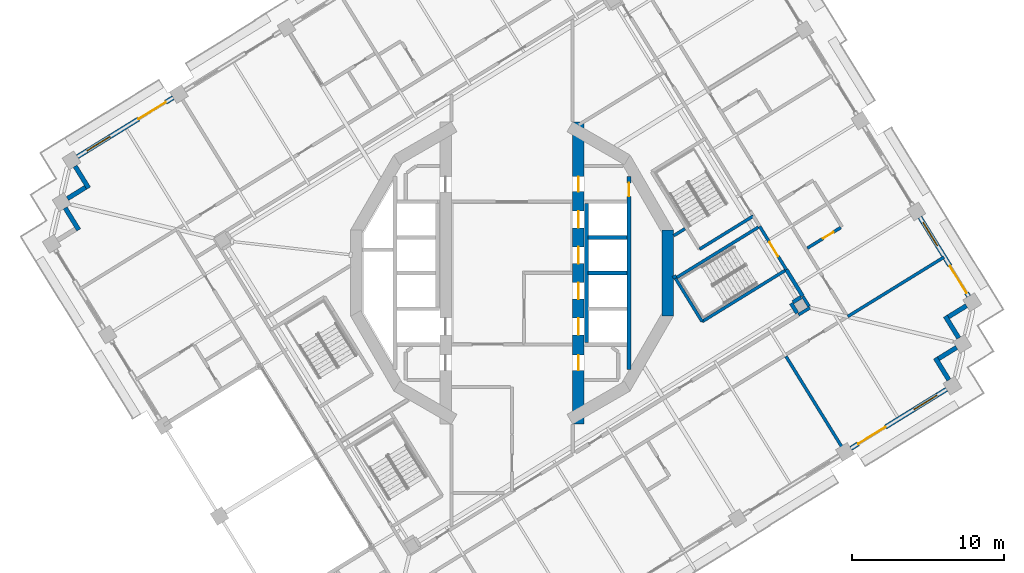
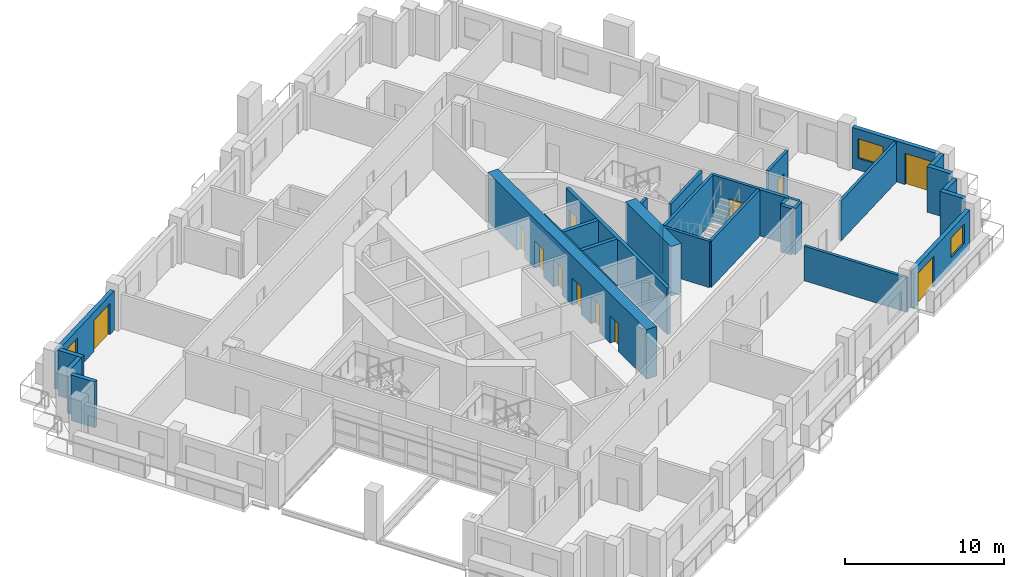
# One storey, part 10 of 22: 31 walls, 12 doors, 3 windows, 15 openings.
"""IFC4 building model written with IfcOpenShell, lengths in metres."""

from ifc_helpers import new_model, si_unit, direction, frame, frame_2d, origin, place, context, subcontext, project, spatial, rectangle, extrude, material, layer, layer_set, type_object, element, fill, save


model = new_model("IFC4")

# Units and contexts
model_context = context("Model", 3, precision=1e-05, world=origin(), true_north=direction((0.0, 1.0)))
body_context = subcontext(model_context, "Body", "Model", "MODEL_VIEW")
ifc_project = project(units=[si_unit("LENGTHUNIT", "METRE"), si_unit("AREAUNIT", "SQUARE_METRE"), si_unit("VOLUMEUNIT", "CUBIC_METRE"), si_unit("PLANEANGLEUNIT", "RADIAN"), si_unit("MASSUNIT", "GRAM", prefix="KILO")], contexts=[model_context])

# Site, building, storey
site_placement = place(None, origin())
site = spatial("IfcSite", under=ifc_project, at=site_placement, CompositionType="ELEMENT")
building_placement = place(site_placement, origin())
building = spatial("IfcBuilding", under=site, at=building_placement, Name="Cantera Rosa Tower", CompositionType="ELEMENT")
storey_placement = place(building_placement, frame((0.0, 0.0, 166.60009765625)))
storey = spatial("IfcBuildingStorey", under=building, at=storey_placement, Name="L36", CompositionType="ELEMENT", Elevation=166.60009765625)

# Walls
ifc_material_1 = material(Name="Gypsum board partition")
ifc_layer_1 = layer(ifc_material_1, 0.199951171875)
ifc_layer_set_1 = layer_set([ifc_layer_1], Name="CORRIDOR WALL 200 H3550")
wall_type_1 = type_object("IfcWallType", Name="CORRIDOR WALL 200 H3550", PredefinedType="PARTITIONING", material=ifc_layer_set_1)
wall_1_placement = place(storey_placement, frame((18.874267578125, -2.7509765625, 0.0), z_axis=(0.0, 0.0, 1.0), x_axis=(0.851162606387, 0.524902102766, 0.0)))
element("IfcWall", 1, at=wall_1_placement, inside=storey, type_object=wall_type_1, Name="CORRIDOR WALL L36-120", PredefinedType="PARTITIONING", context=body_context, shape_type="SweptSolid", body=[
    extrude(rectangle(XDim=0.8798828125, YDim=0.199951171875, at=frame_2d((0.43994140625, 0.0))), origin(), (0.0, 0.0, 1.0), 3.5498046875),
])
wall_2_placement = place(storey_placement, frame((19.57080078125, -2.203857421875, 0.0), z_axis=(0.0, 0.0, 1.0), x_axis=(-0.524952958213, 0.851131242326, 0.0)))
element("IfcWall", 2, at=wall_2_placement, inside=storey, type_object=wall_type_1, Name="CORRIDOR WALL L36-123", PredefinedType="PARTITIONING", context=body_context, shape_type="SweptSolid", body=[
    extrude(rectangle(XDim=0.780029296875, YDim=0.199951171875, at=frame_2d((0.39013671875, 0.0))), origin(), (0.0, 0.0, 1.0), 3.5498046875),
])
ifc_material_2 = material(Name="Hollow clay masonry with cantera stone cladding", Category="masonry")
ifc_layer_2 = layer(ifc_material_2, 0.300048828125)
ifc_layer_set_2 = layer_set([ifc_layer_2], Name="EW-LOGGIA 300")
wall_type_2 = type_object("IfcWallType", Name="EW-LOGGIA 300", PredefinedType="SOLIDWALL", material=ifc_layer_set_2)
wall_3_placement = place(storey_placement, frame((-28.7802734375, 7.0390625, 0.0), z_axis=(0.0, 0.0, 1.0), x_axis=(0.524994468487, -0.851105638601, 0.0)))
element("IfcWall", 3, at=wall_3_placement, inside=storey, type_object=wall_type_2, Name="EN-L36-W13a", PredefinedType="SOLIDWALL", context=body_context, shape_type="SweptSolid", body=[
    extrude(rectangle(XDim=1.7001953125, YDim=0.300048828125, at=frame_2d((0.85009765625, 0.0))), origin(), (0.0, 0.0, 1.0), 3.5),
])
wall_4_placement = place(storey_placement, frame((-28.09423828125, 5.64111328125, 0.0), z_axis=(0.0, 0.0, 1.0), x_axis=(-0.851040987269, -0.525099264891, 0.0)))
element("IfcWall", 4, at=wall_4_placement, inside=storey, type_object=wall_type_2, Name="EN-L36-W13b", PredefinedType="SOLIDWALL", context=body_context, shape_type="SweptSolid", body=[
    extrude(rectangle(XDim=1.39990234375, YDim=0.300048828125, at=frame_2d((0.699951171875, 0.0))), origin(), (0.0, 0.0, 1.0), 3.5),
])
for number, where, z_axis, x_axis, name in (
    (5, (-29.4326171875, 4.286865234375, 0.0), (0.0, 0.0, 1.0), (0.524994468487, -0.851105638601, 0.0), "EN-L36-W14a"),
    (6, (28.7802734375, -7.0390625, 0.0), (0.0, 0.0, 1.0), (-0.524994468487, 0.851105638601, 0.0), "EN-L36-W27a"),
):
    element("IfcWall", number, at=place(storey_placement, frame(where, z_axis=z_axis, x_axis=x_axis)), inside=storey, type_object=wall_type_2, Name=name, PredefinedType="SOLIDWALL", context=body_context, shape_type="SweptSolid", body=[
        extrude(rectangle(XDim=1.7001953125, YDim=0.300048828125, at=frame_2d((0.85009765625, 0.0))), origin(), (0.0, 0.0, 1.0), 3.5),
    ])
wall_5_placement = place(storey_placement, frame((28.09423828125, -5.64111328125, 0.0), z_axis=(0.0, 0.0, 1.0), x_axis=(0.851040987269, 0.525099264891, 0.0)))
element("IfcWall", 7, at=wall_5_placement, inside=storey, type_object=wall_type_2, Name="EN-L36-W27b", PredefinedType="SOLIDWALL", context=body_context, shape_type="SweptSolid", body=[
    extrude(rectangle(XDim=1.39990234375, YDim=0.300048828125, at=frame_2d((0.699951171875, 0.0))), origin(), (0.0, 0.0, 1.0), 3.5),
])
wall_6_placement = place(storey_placement, frame((29.4326171875, -4.286865234375, 0.0), z_axis=(0.0, 0.0, 1.0), x_axis=(-0.524994468487, 0.851105638601, 0.0)))
element("IfcWall", 8, at=wall_6_placement, inside=storey, type_object=wall_type_2, Name="EN-L36-W28a", PredefinedType="SOLIDWALL", context=body_context, shape_type="SweptSolid", body=[
    extrude(rectangle(XDim=1.7001953125, YDim=0.300048828125, at=frame_2d((0.85009765625, 0.0))), origin(), (0.0, 0.0, 1.0), 3.5),
])
wall_7_placement = place(storey_placement, frame((28.74658203125, -2.888916015625, 0.0), z_axis=(0.0, 0.0, 1.0), x_axis=(0.851040987269, 0.525099264891, 0.0)))
element("IfcWall", 9, at=wall_7_placement, inside=storey, type_object=wall_type_2, Name="EN-L36-W28b", PredefinedType="SOLIDWALL", context=body_context, shape_type="SweptSolid", body=[
    extrude(rectangle(XDim=1.39990234375, YDim=0.300048828125, at=frame_2d((0.699951171875, 0.0))), origin(), (0.0, 0.0, 1.0), 3.5),
])

# Wall, openings, window, door
ifc_material_3 = material(Name="Hollow clay masonry with cantera stone cladding", Category="masonry")
ifc_layer_3 = layer(ifc_material_3, 0.300048828125)
ifc_layer_set_3 = layer_set([ifc_layer_3], Name="EW-LOGGIA 300 H3020")
wall_type_3 = type_object("IfcWallType", Name="EW-LOGGIA 300 H3020", PredefinedType="SOLIDWALL", material=ifc_layer_set_3)
wall_8_placement = place(storey_placement, frame((-22.318115234375, 11.5537109375, 0.0), z_axis=(0.0, 0.0, 1.0), x_axis=(-0.851111085575, -0.524985637909, 0.0)))
wall_8 = element("IfcWall", 10, at=wall_8_placement, inside=storey, type_object=wall_type_3, Name="EN-L36-W12", PredefinedType="SOLIDWALL", context=body_context, shape_type="SweptSolid", body=[
    extrude(rectangle(XDim=7.420166015625, YDim=0.300048828125, at=frame_2d((3.7099609375, 0.0))), origin(), (0.0, 0.0, 1.0), 3.02001953125),
])
opening_1_placement = place(wall_8_placement, frame((0.580078125, 0.0, 0.0)))
opening_1 = element("IfcOpeningElement", 11, at=opening_1_placement, cuts=wall_8, Name="Opening L36-TD19", PredefinedType="OPENING", context=body_context, shape_type="SweptSolid", body=[
    extrude(rectangle(XDim=2.10009765625, YDim=2.39990234375, at=frame_2d((1.050048828125, 1.199951171875))), frame((0.0, 0.159912109375, 0.0), z_axis=(0.0, -1.0, 0.0), x_axis=(1.0, 0.0, 0.0)), (0.0, 0.0, 1.0), 0.320068359375),
])
opening_2_placement = place(wall_8_placement, frame((4.889892578125, 0.0, 0.89990234375)))
opening_2 = element("IfcOpeningElement", 12, at=opening_2_placement, cuts=wall_8, Name="Opening L36-W20", PredefinedType="OPENING", context=body_context, shape_type="SweptSolid", body=[
    extrude(rectangle(XDim=1.800048828125, YDim=1.5, at=frame_2d((0.89990234375, 0.75))), frame((0.0, 0.159912109375, 0.0), z_axis=(0.0, -1.0, 0.0), x_axis=(1.0, 0.0, 0.0)), (0.0, 0.0, 1.0), 0.320068359375),
])
ifc_material_4 = material(Name="Aluminium frame with clear glass", Category="aluminium")
window_type = type_object("IfcWindowType", Name="Hotel room window 1800x1500", PartitioningType="DOUBLE_PANEL_VERTICAL", PredefinedType="WINDOW", material=ifc_material_4)
window_1_placement = place(opening_2_placement, origin())
window_1 = element("IfcWindow", 13, at=window_1_placement, inside=storey, type_object=window_type, Name="WINDOW L36-W20", OverallHeight=1.5, OverallWidth=1.800048828125, PartitioningType="SINGLE_PANEL", PredefinedType="WINDOW", context=body_context, shape_type="SweptSolid", body=[
    extrude(rectangle(XDim=1.800048828125, YDim=1.5, at=frame_2d((0.89990234375, 0.75))), frame((0.0, 0.030029296875, 0.0), z_axis=(0.0, -1.0, 0.0), x_axis=(1.0, 0.0, 0.0)), (0.0, 0.0, 1.0), 0.06005859375),
])
fill(opening_2, window_1)
ifc_material_5 = material(Name="Aluminium frame with clear glass", Category="aluminium")
door_type_1 = type_object("IfcDoorType", Name="TD-H 2100x2400", OperationType="NOTDEFINED", PredefinedType="DOOR", material=ifc_material_5)
door_1_placement = place(opening_1_placement, origin())
door_1 = element("IfcDoor", 14, at=door_1_placement, inside=storey, type_object=door_type_1, Name="LOGGIA DOOR L36-TD19", OperationType="SLIDING_TO_LEFT", OverallHeight=2.39990234375, OverallWidth=2.10009765625, PredefinedType="DOOR", context=body_context, shape_type="SweptSolid", body=[
    extrude(rectangle(XDim=2.10009765625, YDim=2.39990234375, at=frame_2d((1.050048828125, 1.199951171875))), frame((0.0, 0.02490234375, 0.0), z_axis=(0.0, -1.0, 0.0), x_axis=(1.0, 0.0, 0.0)), (0.0, 0.0, 1.0), 0.050048828125),
])
fill(opening_1, door_1)

wall_9_placement = place(storey_placement, frame((22.318115234375, -11.5537109375, 0.0), z_axis=(0.0, 0.0, 1.0), x_axis=(0.851111085575, 0.524985637909, 0.0)))
wall_9 = element("IfcWall", 15, at=wall_9_placement, inside=storey, type_object=wall_type_3, Name="EN-L36-W26", PredefinedType="SOLIDWALL", context=body_context, shape_type="SweptSolid", body=[
    extrude(rectangle(XDim=7.420166015625, YDim=0.300048828125, at=frame_2d((3.7099609375, 0.0))), origin(), (0.0, 0.0, 1.0), 3.02001953125),
])
opening_3_placement = place(wall_9_placement, frame((0.580078125, 0.0, 0.0)))
opening_3 = element("IfcOpeningElement", 16, at=opening_3_placement, cuts=wall_9, Name="Opening L36-TD35", PredefinedType="OPENING", context=body_context, shape_type="SweptSolid", body=[
    extrude(rectangle(XDim=2.10009765625, YDim=2.39990234375, at=frame_2d((1.050048828125, 1.199951171875))), frame((0.0, 0.159912109375, 0.0), z_axis=(0.0, -1.0, 0.0), x_axis=(1.0, 0.0, 0.0)), (0.0, 0.0, 1.0), 0.320068359375),
])
opening_4_placement = place(wall_9_placement, frame((4.889892578125, 0.0, 0.89990234375)))
opening_4 = element("IfcOpeningElement", 17, at=opening_4_placement, cuts=wall_9, Name="Opening L36-W36", PredefinedType="OPENING", context=body_context, shape_type="SweptSolid", body=[
    extrude(rectangle(XDim=1.800048828125, YDim=1.5, at=frame_2d((0.89990234375, 0.75))), frame((0.0, 0.159912109375, 0.0), z_axis=(0.0, -1.0, 0.0), x_axis=(1.0, 0.0, 0.0)), (0.0, 0.0, 1.0), 0.320068359375),
])
window_2_placement = place(opening_4_placement, origin())
window_2 = element("IfcWindow", 18, at=window_2_placement, inside=storey, type_object=window_type, Name="WINDOW L36-W36", OverallHeight=1.5, OverallWidth=1.800048828125, PartitioningType="SINGLE_PANEL", PredefinedType="WINDOW", context=body_context, shape_type="SweptSolid", body=[
    extrude(rectangle(XDim=1.800048828125, YDim=1.5, at=frame_2d((0.89990234375, 0.75))), frame((0.0, 0.030029296875, 0.0), z_axis=(0.0, -1.0, 0.0), x_axis=(1.0, 0.0, 0.0)), (0.0, 0.0, 1.0), 0.06005859375),
])
fill(opening_4, window_2)
door_2_placement = place(opening_3_placement, origin())
door_2 = element("IfcDoor", 19, at=door_2_placement, inside=storey, type_object=door_type_1, Name="LOGGIA DOOR L36-TD35", OperationType="SLIDING_TO_LEFT", OverallHeight=2.39990234375, OverallWidth=2.10009765625, PredefinedType="DOOR", context=body_context, shape_type="SweptSolid", body=[
    extrude(rectangle(XDim=2.10009765625, YDim=2.39990234375, at=frame_2d((1.050048828125, 1.199951171875))), frame((0.0, 0.02490234375, 0.0), z_axis=(0.0, -1.0, 0.0), x_axis=(1.0, 0.0, 0.0)), (0.0, 0.0, 1.0), 0.050048828125),
])
fill(opening_3, door_2)

ifc_material_6 = material(Name="Hollow clay masonry with cantera stone cladding", Category="masonry")
ifc_layer_4 = layer(ifc_material_6, 0.300048828125)
ifc_layer_set_4 = layer_set([ifc_layer_4], Name="EW-LOGGIA 300 H3140")
wall_type_4 = type_object("IfcWallType", Name="EW-LOGGIA 300 H3140", PredefinedType="SOLIDWALL", material=ifc_layer_set_4)
wall_10_placement = place(storey_placement, frame((30.084716796875, -1.53466796875, 0.0), z_axis=(0.0, 0.0, 1.0), x_axis=(-0.524987447654, 0.851109969279, 0.0)))
wall_10 = element("IfcWall", 20, at=wall_10_placement, inside=storey, type_object=wall_type_4, Name="EN-L36-W01", PredefinedType="SOLIDWALL", context=body_context, shape_type="SweptSolid", body=[
    extrude(rectangle(XDim=6.119873046875, YDim=0.300048828125, at=frame_2d((3.06005859375, 0.0))), origin(), (0.0, 0.0, 1.0), 3.139892578125),
])
opening_5_placement = place(wall_10_placement, frame((0.2548828125, 0.0, 0.0)))
opening_5 = element("IfcOpeningElement", 21, at=opening_5_placement, cuts=wall_10, Name="Opening L36-TD01", PredefinedType="OPENING", context=body_context, shape_type="SweptSolid", body=[
    extrude(rectangle(XDim=2.10009765625, YDim=2.39990234375, at=frame_2d((1.050048828125, 1.199951171875))), frame((0.0, 0.159912109375, 0.0), z_axis=(0.0, -1.0, 0.0), x_axis=(1.0, 0.0, 0.0)), (0.0, 0.0, 1.0), 0.320068359375),
])
opening_6_placement = place(wall_10_placement, frame((3.9150390625, 0.0, 0.89990234375)))
opening_6 = element("IfcOpeningElement", 22, at=opening_6_placement, cuts=wall_10, Name="Opening L36-W02", PredefinedType="OPENING", context=body_context, shape_type="SweptSolid", body=[
    extrude(rectangle(XDim=1.800048828125, YDim=1.5, at=frame_2d((0.89990234375, 0.75))), frame((0.0, 0.159912109375, 0.0), z_axis=(0.0, -1.0, 0.0), x_axis=(1.0, 0.0, 0.0)), (0.0, 0.0, 1.0), 0.320068359375),
])
window_3_placement = place(opening_6_placement, origin())
window_3 = element("IfcWindow", 23, at=window_3_placement, inside=storey, type_object=window_type, Name="WINDOW L36-W02", OverallHeight=1.5, OverallWidth=1.800048828125, PartitioningType="SINGLE_PANEL", PredefinedType="WINDOW", context=body_context, shape_type="SweptSolid", body=[
    extrude(rectangle(XDim=1.800048828125, YDim=1.5, at=frame_2d((0.89990234375, 0.75))), frame((0.0, 0.030029296875, 0.0), z_axis=(0.0, -1.0, 0.0), x_axis=(1.0, 0.0, 0.0)), (0.0, 0.0, 1.0), 0.06005859375),
])
fill(opening_6, window_3)
door_3_placement = place(opening_5_placement, origin())
door_3 = element("IfcDoor", 24, at=door_3_placement, inside=storey, type_object=door_type_1, Name="LOGGIA DOOR L36-TD01", OperationType="SLIDING_TO_LEFT", OverallHeight=2.39990234375, OverallWidth=2.10009765625, PredefinedType="DOOR", context=body_context, shape_type="SweptSolid", body=[
    extrude(rectangle(XDim=2.10009765625, YDim=2.39990234375, at=frame_2d((1.050048828125, 1.199951171875))), frame((0.0, 0.02490234375, 0.0), z_axis=(0.0, -1.0, 0.0), x_axis=(1.0, 0.0, 0.0)), (0.0, 0.0, 1.0), 0.050048828125),
])
fill(opening_5, door_3)

# Wall
ifc_material_7 = material(Name="Gypsum board partition")
ifc_layer_5 = layer(ifc_material_7, 0.199951171875)
ifc_layer_set_5 = layer_set([ifc_layer_5], Name="PARTITION 200 H3550")
wall_type_5 = type_object("IfcWallType", Name="PARTITION 200 H3550", PredefinedType="PARTITIONING", material=ifc_layer_set_5)
wall_11_placement = place(storey_placement, frame((11.3984375, 2.91845703125, 0.0), z_axis=(0.0, 0.0, 1.0), x_axis=(-0.851062595384, -0.525064242487, 0.0)))
element("IfcWall", 25, at=wall_11_placement, inside=storey, type_object=wall_type_5, Name="PARTITION L36-104", PredefinedType="PARTITIONING", context=body_context, shape_type="SweptSolid", body=[
    extrude(rectangle(XDim=0.873291015625, YDim=0.199951171875, at=frame_2d((0.4365234375, 0.0))), origin(), (0.0, 0.0, 1.0), 3.5498046875),
])

# Wall, opening, door
wall_12_placement = place(storey_placement, frame((21.652587890625, 2.99267578125, 0.0), z_axis=(0.0, 0.0, 1.0), x_axis=(-0.851098989685, -0.525005247362, 0.0)))
wall_12 = element("IfcWall", 26, at=wall_12_placement, inside=storey, type_object=wall_type_5, Name="PARTITION L36-125", PredefinedType="PARTITIONING", context=body_context, shape_type="SweptSolid", body=[
    extrude(rectangle(XDim=2.580078125, YDim=0.199951171875, at=frame_2d((1.2900390625, 0.0))), origin(), (0.0, 0.0, 1.0), 3.5498046875),
])
opening_7_placement = place(wall_12_placement, frame((0.56396484375, 0.0, 0.0)))
opening_7 = element("IfcOpeningElement", 27, at=opening_7_placement, cuts=wall_12, Name="Opening L36-022", PredefinedType="OPENING", context=body_context, shape_type="SweptSolid", body=[
    extrude(rectangle(XDim=0.800048828125, YDim=2.10009765625, at=frame_2d((0.39990234375, 1.050048828125))), frame((0.0, 0.10986328125, 0.0), z_axis=(0.0, -1.0, 0.0), x_axis=(1.0, 0.0, 0.0)), (0.0, 0.0, 1.0), 0.219970703125),
])
ifc_material_8 = material(Name="Timber door leaf", Category="wood")
door_type_2 = type_object("IfcDoorType", Name="BATHROOM DOOR 800x2100", OperationType="NOTDEFINED", PredefinedType="DOOR", material=ifc_material_8)
door_4_placement = place(opening_7_placement, origin())
door_4 = element("IfcDoor", 28, at=door_4_placement, inside=storey, type_object=door_type_2, Name="DOOR L36-022", OperationType="NOTDEFINED", OverallHeight=2.10009765625, OverallWidth=0.800048828125, PredefinedType="DOOR", context=body_context, shape_type="SweptSolid", body=[
    extrude(rectangle(XDim=0.800048828125, YDim=2.10009765625, at=frame_2d((0.39990234375, 1.050048828125))), frame((0.0, 0.02490234375, 0.0), z_axis=(0.0, -1.0, 0.0), x_axis=(1.0, 0.0, 0.0)), (0.0, 0.0, 1.0), 0.050048828125),
])
fill(opening_7, door_4)

# Walls
ifc_material_9 = material(Name="Gypsum board partition")
ifc_layer_6 = layer(ifc_material_9, 0.199951171875)
ifc_layer_set_6 = layer_set([ifc_layer_6], Name="PARTY WALL 200 H2650")
wall_type_6 = type_object("IfcWallType", Name="PARTY WALL 200 H2650", PredefinedType="PARTITIONING", material=ifc_layer_set_6)
wall_13_placement = place(storey_placement, frame((18.05029296875, -5.49169921875, 0.0), z_axis=(0.0, 0.0, 1.0), x_axis=(0.52498429839, -0.851111911821, 0.0)))
element("IfcWall", 29, at=wall_13_placement, inside=storey, type_object=wall_type_6, Name="PARTY WALL L36-116", PredefinedType="PARTITIONING", context=body_context, shape_type="SweptSolid", body=[
    extrude(rectangle(XDim=7.3701171875, YDim=0.199951171875, at=frame_2d((3.68505859375, 0.0))), origin(), (0.0, 0.0, 1.0), 2.64990234375),
])
ifc_material_10 = material(Name="Gypsum board partition")
ifc_layer_7 = layer(ifc_material_10, 0.199951171875)
ifc_layer_set_7 = layer_set([ifc_layer_7], Name="PARTY WALL 200 H3050")
wall_type_7 = type_object("IfcWallType", Name="PARTY WALL 200 H3050", PredefinedType="PARTITIONING", material=ifc_layer_set_7)
wall_14_placement = place(storey_placement, frame((28.4580078125, 1.04541015625, 0.0), z_axis=(0.0, 0.0, 1.0), x_axis=(-0.851127919676, -0.524958345345, 0.0)))
element("IfcWall", 30, at=wall_14_placement, inside=storey, type_object=wall_type_7, Name="PARTY WALL L36-127", PredefinedType="PARTITIONING", context=body_context, shape_type="SweptSolid", body=[
    extrude(rectangle(XDim=7.449951171875, YDim=0.199951171875, at=frame_2d((3.72509765625, 0.0))), origin(), (0.0, 0.0, 1.0), 3.0498046875),
])
ifc_material_11 = material(Name="Concrete C60/75", Category="concrete")
ifc_layer_8 = layer(ifc_material_11, 0.75)
ifc_layer_set_8 = layer_set([ifc_layer_8], Name="RC CORE WALL 750 C60/75")
wall_type_8 = type_object("IfcWallType", Name="RC CORE WALL 750 C60/75", PredefinedType="SHEAR", material=ifc_layer_set_8)
wall_15_placement = place(storey_placement, frame((10.250244140625, 2.846923828125, 0.0), z_axis=(0.0, 0.0, 1.0), x_axis=(0.0, -1.0, 0.0)))
element("IfcWall", 31, at=wall_15_placement, inside=storey, type_object=wall_type_8, Name="CW-E3 L36", PredefinedType="SHEAR", context=body_context, shape_type="SweptSolid", body=[
    extrude(rectangle(XDim=5.69384765625, YDim=0.75, at=frame_2d((2.846923828125, 0.0))), origin(), (0.0, 0.0, 1.0), 3.7998046875),
])

# Wall, openings, doors
wall_16_placement = place(storey_placement, frame((4.375, -9.95947265625, 0.0), z_axis=(0.0, 0.0, 1.0), x_axis=(0.0, 1.0, 0.0)))
wall_16 = element("IfcWall", 32, at=wall_16_placement, inside=storey, type_object=wall_type_8, Name="CW-E6 L36", PredefinedType="SHEAR", context=body_context, shape_type="SweptSolid", body=[
    extrude(rectangle(XDim=19.9189453125, YDim=0.75, at=frame_2d((9.95947265625, 0.0))), origin(), (0.0, 0.0, 1.0), 3.7998046875),
])
opening_8_placement = place(wall_16_placement, frame((5.884521484375, 0.0, 0.0)))
opening_8 = element("IfcOpeningElement", 33, at=opening_8_placement, cuts=wall_16, Name="Opening LD-FF1-L36", PredefinedType="OPENING", context=body_context, shape_type="SweptSolid", body=[
    extrude(rectangle(XDim=1.10009765625, YDim=2.10009765625, at=frame_2d((0.550048828125, 1.050048828125))), frame((0.0, 0.385009765625, 0.0), z_axis=(0.0, -1.0, 0.0), x_axis=(1.0, 0.0, 0.0)), (0.0, 0.0, 1.0), 0.77001953125),
])
opening_9_placement = place(wall_16_placement, frame((8.234619140625, 0.0, 0.0)))
opening_9 = element("IfcOpeningElement", 34, at=opening_9_placement, cuts=wall_16, Name="Opening LD-FF2-L36", PredefinedType="OPENING", context=body_context, shape_type="SweptSolid", body=[
    extrude(rectangle(XDim=1.10009765625, YDim=2.10009765625, at=frame_2d((0.550048828125, 1.050048828125))), frame((0.0, 0.385009765625, 0.0), z_axis=(0.0, -1.0, 0.0), x_axis=(1.0, 0.0, 0.0)), (0.0, 0.0, 1.0), 0.77001953125),
])
opening_10_placement = place(wall_16_placement, frame((10.58447265625, 0.0, 0.0)))
opening_10 = element("IfcOpeningElement", 35, at=opening_10_placement, cuts=wall_16, Name="Opening LD-P1-L36", PredefinedType="OPENING", context=body_context, shape_type="SweptSolid", body=[
    extrude(rectangle(XDim=1.10009765625, YDim=2.10009765625, at=frame_2d((0.550048828125, 1.050048828125))), frame((0.0, 0.385009765625, 0.0), z_axis=(0.0, -1.0, 0.0), x_axis=(1.0, 0.0, 0.0)), (0.0, 0.0, 1.0), 0.77001953125),
])
opening_11_placement = place(wall_16_placement, frame((12.9345703125, 0.0, 0.0)))
opening_11 = element("IfcOpeningElement", 36, at=opening_11_placement, cuts=wall_16, Name="Opening LD-P2-L36", PredefinedType="OPENING", context=body_context, shape_type="SweptSolid", body=[
    extrude(rectangle(XDim=1.10009765625, YDim=2.10009765625, at=frame_2d((0.550048828125, 1.050048828125))), frame((0.0, 0.385009765625, 0.0), z_axis=(0.0, -1.0, 0.0), x_axis=(1.0, 0.0, 0.0)), (0.0, 0.0, 1.0), 0.77001953125),
])
opening_12_placement = place(wall_16_placement, frame((3.55078125, 0.0, 0.0)))
opening_12 = element("IfcOpeningElement", 37, at=opening_12_placement, cuts=wall_16, Name="Opening SD-L36-19", PredefinedType="OPENING", context=body_context, shape_type="SweptSolid", body=[
    extrude(rectangle(XDim=1.0, YDim=2.10009765625, at=frame_2d((0.5, 1.050048828125))), frame((0.0, 0.385009765625, 0.0), z_axis=(0.0, -1.0, 0.0), x_axis=(1.0, 0.0, 0.0)), (0.0, 0.0, 1.0), 0.77001953125),
])
opening_13_placement = place(wall_16_placement, frame((15.318115234375, 0.0, 0.0)))
opening_13 = element("IfcOpeningElement", 38, at=opening_13_placement, cuts=wall_16, Name="Opening SD-L36-20", PredefinedType="OPENING", context=body_context, shape_type="SweptSolid", body=[
    extrude(rectangle(XDim=1.0, YDim=2.10009765625, at=frame_2d((0.5, 1.050048828125))), frame((0.0, 0.385009765625, 0.0), z_axis=(0.0, -1.0, 0.0), x_axis=(1.0, 0.0, 0.0)), (0.0, 0.0, 1.0), 0.77001953125),
])
ifc_material_12 = material(Name="Steel S355J2 (EN 10025-2)", Category="steel")
door_type_3 = type_object("IfcDoorType", Name="LANDING DOOR 1100x2100", OperationType="NOTDEFINED", PredefinedType="DOOR", material=ifc_material_12)
door_5_placement = place(opening_8_placement, origin())
door_5 = element("IfcDoor", 39, at=door_5_placement, inside=storey, type_object=door_type_3, Name="LANDING DOOR FF1 L36", OperationType="SLIDING_TO_LEFT", OverallHeight=2.10009765625, OverallWidth=1.10009765625, PredefinedType="DOOR", context=body_context, shape_type="SweptSolid", body=[
    extrude(rectangle(XDim=1.10009765625, YDim=2.10009765625, at=frame_2d((0.550048828125, 1.050048828125))), frame((0.0, 0.02490234375, 0.0), z_axis=(0.0, -1.0, 0.0), x_axis=(1.0, 0.0, 0.0)), (0.0, 0.0, 1.0), 0.050048828125),
])
fill(opening_8, door_5)
door_6_placement = place(opening_9_placement, origin())
door_6 = element("IfcDoor", 40, at=door_6_placement, inside=storey, type_object=door_type_3, Name="LANDING DOOR FF2 L36", OperationType="SLIDING_TO_LEFT", OverallHeight=2.10009765625, OverallWidth=1.10009765625, PredefinedType="DOOR", context=body_context, shape_type="SweptSolid", body=[
    extrude(rectangle(XDim=1.10009765625, YDim=2.10009765625, at=frame_2d((0.550048828125, 1.050048828125))), frame((0.0, 0.02490234375, 0.0), z_axis=(0.0, -1.0, 0.0), x_axis=(1.0, 0.0, 0.0)), (0.0, 0.0, 1.0), 0.050048828125),
])
fill(opening_9, door_6)
door_7_placement = place(opening_10_placement, origin())
door_7 = element("IfcDoor", 41, at=door_7_placement, inside=storey, type_object=door_type_3, Name="LANDING DOOR P1 L36", OperationType="SLIDING_TO_LEFT", OverallHeight=2.10009765625, OverallWidth=1.10009765625, PredefinedType="DOOR", context=body_context, shape_type="SweptSolid", body=[
    extrude(rectangle(XDim=1.10009765625, YDim=2.10009765625, at=frame_2d((0.550048828125, 1.050048828125))), frame((0.0, 0.02490234375, 0.0), z_axis=(0.0, -1.0, 0.0), x_axis=(1.0, 0.0, 0.0)), (0.0, 0.0, 1.0), 0.050048828125),
])
fill(opening_10, door_7)
door_8_placement = place(opening_11_placement, origin())
door_8 = element("IfcDoor", 42, at=door_8_placement, inside=storey, type_object=door_type_3, Name="LANDING DOOR P2 L36", OperationType="SLIDING_TO_LEFT", OverallHeight=2.10009765625, OverallWidth=1.10009765625, PredefinedType="DOOR", context=body_context, shape_type="SweptSolid", body=[
    extrude(rectangle(XDim=1.10009765625, YDim=2.10009765625, at=frame_2d((0.550048828125, 1.050048828125))), frame((0.0, 0.02490234375, 0.0), z_axis=(0.0, -1.0, 0.0), x_axis=(1.0, 0.0, 0.0)), (0.0, 0.0, 1.0), 0.050048828125),
])
fill(opening_11, door_8)
ifc_material_13 = material(Name="Timber door leaf", Category="wood")
door_type_4 = type_object("IfcDoorType", Name="SERVICE DOOR 1000x2100", OperationType="NOTDEFINED", PredefinedType="DOOR", material=ifc_material_13)
door_9_placement = place(opening_12_placement, origin())
door_9 = element("IfcDoor", 43, at=door_9_placement, inside=storey, type_object=door_type_4, Name="DOOR L36-SD19", OperationType="NOTDEFINED", OverallHeight=2.10009765625, OverallWidth=1.0, PredefinedType="DOOR", context=body_context, shape_type="SweptSolid", body=[
    extrude(rectangle(XDim=1.0, YDim=2.10009765625, at=frame_2d((0.5, 1.050048828125))), frame((0.0, 0.02490234375, 0.0), z_axis=(0.0, -1.0, 0.0), x_axis=(1.0, 0.0, 0.0)), (0.0, 0.0, 1.0), 0.050048828125),
])
fill(opening_12, door_9)
door_10_placement = place(opening_13_placement, origin())
door_10 = element("IfcDoor", 44, at=door_10_placement, inside=storey, type_object=door_type_4, Name="DOOR L36-SD20", OperationType="NOTDEFINED", OverallHeight=2.10009765625, OverallWidth=1.0, PredefinedType="DOOR", context=body_context, shape_type="SweptSolid", body=[
    extrude(rectangle(XDim=1.0, YDim=2.10009765625, at=frame_2d((0.5, 1.050048828125))), frame((0.0, 0.02490234375, 0.0), z_axis=(0.0, -1.0, 0.0), x_axis=(1.0, 0.0, 0.0)), (0.0, 0.0, 1.0), 0.050048828125),
])
fill(opening_13, door_10)

# Walls
ifc_material_14 = material(Name="Masonry blockwork", Category="masonry")
ifc_layer_9 = layer(ifc_material_14, 0.25)
ifc_layer_set_9 = layer_set([ifc_layer_9], Name="SHAFT WALL 250 H3550")
wall_type_9 = type_object("IfcWallType", Name="SHAFT WALL 250 H3550", PredefinedType="SOLIDWALL", material=ifc_layer_set_9)
for number, where, z_axis, x_axis, name in (
    (45, (5.014892578125, 0.0, 0.0), (0.0, 0.0, 1.0), (1.0, 0.0, 0.0), "SHAFT WALL L36-080"),
    (46, (5.014892578125, 2.35009765625, 0.0), (0.0, 0.0, 1.0), (1.0, 0.0, 0.0), "SHAFT WALL L36-081"),
):
    element("IfcWall", number, at=place(storey_placement, frame(where, z_axis=z_axis, x_axis=x_axis)), inside=storey, type_object=wall_type_9, Name=name, PredefinedType="SOLIDWALL", context=body_context, shape_type="SweptSolid", body=[
        extrude(rectangle(XDim=2.56005859375, YDim=0.25, at=frame_2d((1.280029296875, 0.0))), origin(), (0.0, 0.0, 1.0), 3.5498046875),
    ])
wall_17_placement = place(storey_placement, frame((4.89990234375, 4.574951171875, 0.0), z_axis=(0.0, 0.0, 1.0), x_axis=(0.0, -1.0, 0.0)))
element("IfcWall", 47, at=wall_17_placement, inside=storey, type_object=wall_type_9, Name="SHAFT WALL L36-084", PredefinedType="SOLIDWALL", context=body_context, shape_type="SweptSolid", body=[
    extrude(rectangle(XDim=9.14990234375, YDim=0.25, at=frame_2d((4.574951171875, 0.0))), origin(), (0.0, 0.0, 1.0), 3.5498046875),
])

# Wall, opening, door
wall_18_placement = place(storey_placement, frame((7.699951171875, -6.353515625, 0.0), z_axis=(0.0, 0.0, 1.0), x_axis=(0.0, 1.0, 0.0)))
wall_18 = element("IfcWall", 48, at=wall_18_placement, inside=storey, type_object=wall_type_9, Name="SHAFT WALL L36-095", PredefinedType="SOLIDWALL", context=body_context, shape_type="SweptSolid", body=[
    extrude(rectangle(XDim=12.70703125, YDim=0.25, at=frame_2d((6.353515625, 0.0))), origin(), (0.0, 0.0, 1.0), 3.5498046875),
])
opening_14_placement = place(wall_18_placement, frame((11.39990234375, 0.0, 0.0)))
opening_14 = element("IfcOpeningElement", 49, at=opening_14_placement, cuts=wall_18, Name="Opening L36-048", PredefinedType="OPENING", context=body_context, shape_type="SweptSolid", body=[
    extrude(rectangle(XDim=0.89990234375, YDim=2.10009765625, at=frame_2d((0.449951171875, 1.050048828125))), frame((0.0, 0.135009765625, 0.0), z_axis=(0.0, -1.0, 0.0), x_axis=(1.0, 0.0, 0.0)), (0.0, 0.0, 1.0), 0.27001953125),
])
ifc_material_15 = material(Name="Timber door leaf", Category="wood")
door_type_5 = type_object("IfcDoorType", Name="SERVICE DOOR 900x2100", OperationType="NOTDEFINED", PredefinedType="DOOR", material=ifc_material_15)
door_11_placement = place(opening_14_placement, origin())
door_11 = element("IfcDoor", 50, at=door_11_placement, inside=storey, type_object=door_type_5, Name="RISER DOOR L36-048", OperationType="NOTDEFINED", OverallHeight=2.10009765625, OverallWidth=0.89990234375, PredefinedType="DOOR", context=body_context, shape_type="SweptSolid", body=[
    extrude(rectangle(XDim=0.89990234375, YDim=2.10009765625, at=frame_2d((0.449951171875, 1.050048828125))), frame((0.0, 0.02490234375, 0.0), z_axis=(0.0, -1.0, 0.0), x_axis=(1.0, 0.0, 0.0)), (0.0, 0.0, 1.0), 0.050048828125),
])
fill(opening_14, door_11)

# Walls
wall_19_placement = place(storey_placement, frame((10.6552734375, -0.16748046875, 0.0), z_axis=(0.0, 0.0, 1.0), x_axis=(0.524543682015, -0.851383536168, 0.0)))
element("IfcWall", 51, at=wall_19_placement, inside=storey, type_object=wall_type_9, Name="SHAFT WALL L36-101", PredefinedType="SOLIDWALL", context=body_context, shape_type="SweptSolid", body=[
    extrude(rectangle(XDim=0.213623046875, YDim=0.25, at=frame_2d((0.10693359375, 0.0))), origin(), (0.0, 0.0, 1.0), 3.5498046875),
])
wall_20_placement = place(storey_placement, frame((18.384765625, -1.99560546875, 0.0), z_axis=(0.0, 0.0, 1.0), x_axis=(0.52499344753, -0.851106268365, 0.0)))
element("IfcWall", 52, at=wall_20_placement, inside=storey, type_object=wall_type_9, Name="SHAFT WALL L36-118", PredefinedType="SOLIDWALL", context=body_context, shape_type="SweptSolid", body=[
    extrude(rectangle(XDim=0.759765625, YDim=0.25, at=frame_2d((0.3798828125, 0.0))), origin(), (0.0, 0.0, 1.0), 3.5498046875),
])
wall_21_placement = place(storey_placement, frame((19.15087890625, -1.52294921875, 0.0), z_axis=(0.0, 0.0, 1.0), x_axis=(-0.525087139425, 0.851048468661, 0.0)))
element("IfcWall", 53, at=wall_21_placement, inside=storey, type_object=wall_type_9, Name="SHAFT WALL L36-121", PredefinedType="SOLIDWALL", context=body_context, shape_type="SweptSolid", body=[
    extrude(rectangle(XDim=2.050048828125, YDim=0.25, at=frame_2d((1.02490234375, 0.0))), origin(), (0.0, 0.0, 1.0), 3.5498046875),
])
wall_22_placement = place(storey_placement, frame((19.031494140625, -1.596435546875, 0.0), z_axis=(0.0, 0.0, 1.0), x_axis=(-0.85092741859, -0.52528328385, 0.0)))
element("IfcWall", 54, at=wall_22_placement, inside=storey, type_object=wall_type_9, Name="SHAFT WALL L36-122", PredefinedType="SOLIDWALL", context=body_context, shape_type="SweptSolid", body=[
    extrude(rectangle(XDim=0.6201171875, YDim=0.25, at=frame_2d((0.31005859375, 0.0))), origin(), (0.0, 0.0, 1.0), 3.5498046875),
])
ifc_material_16 = material(Name="Concrete C50/60", Category="concrete")
ifc_layer_10 = layer(ifc_material_16, 0.199951171875)
ifc_layer_set_10 = layer_set([ifc_layer_10], Name="STAIR WALL 200 H3550")
wall_type_10 = type_object("IfcWallType", Name="STAIR WALL 200 H3550", PredefinedType="SOLIDWALL", material=ifc_layer_set_10)
wall_23_placement = place(storey_placement, frame((10.767333984375, -0.349365234375, 0.0), z_axis=(0.0, 0.0, 1.0), x_axis=(0.524938861495, -0.85113993661, 0.0)))
element("IfcWall", 55, at=wall_23_placement, inside=storey, type_object=wall_type_10, Name="STAIR WALL L36-102", PredefinedType="SOLIDWALL", context=body_context, shape_type="SweptSolid", body=[
    extrude(rectangle(XDim=3.35009765625, YDim=0.199951171875, at=frame_2d((1.675048828125, 0.0))), origin(), (0.0, 0.0, 1.0), 3.5498046875),
])
for number, where, z_axis, x_axis, name in (
    (56, (10.767333984375, -0.349365234375, 0.0), (0.0, 0.0, 1.0), (0.851120392665, 0.524970548879, 0.0), "STAIR WALL L36-103"),
    (57, (12.52587890625, -3.20068359375, 0.0), (0.0, 0.0, 1.0), (0.851120392665, 0.524970548879, 0.0), "STAIR WALL L36-105"),
):
    element("IfcWall", number, at=place(storey_placement, frame(where, z_axis=z_axis, x_axis=x_axis)), inside=storey, type_object=wall_type_10, Name=name, PredefinedType="SOLIDWALL", context=body_context, shape_type="SweptSolid", body=[
        extrude(rectangle(XDim=6.51904296875, YDim=0.199951171875, at=frame_2d((3.259521484375, 0.0))), origin(), (0.0, 0.0, 1.0), 3.5498046875),
    ])
wall_24_placement = place(storey_placement, frame((15.8955078125, 3.754638671875, 0.0), z_axis=(0.0, 0.0, 1.0), x_axis=(-0.851120688733, -0.524970068871, 0.0)))
element("IfcWall", 58, at=wall_24_placement, inside=storey, type_object=wall_type_10, Name="STAIR WALL L36-111", PredefinedType="SOLIDWALL", context=body_context, shape_type="SweptSolid", body=[
    extrude(rectangle(XDim=4.16650390625, YDim=0.199951171875, at=frame_2d((2.083251953125, 0.0))), origin(), (0.0, 0.0, 1.0), 3.5498046875),
])

# Wall, opening, door
wall_25_placement = place(storey_placement, frame((18.074462890625, 0.2216796875, 0.0), z_axis=(0.0, 0.0, 1.0), x_axis=(-0.524938861495, 0.85113993661, 0.0)))
wall_25 = element("IfcWall", 59, at=wall_25_placement, inside=storey, type_object=wall_type_10, Name="STAIR WALL L36-117", PredefinedType="SOLIDWALL", context=body_context, shape_type="SweptSolid", body=[
    extrude(rectangle(XDim=3.35009765625, YDim=0.199951171875, at=frame_2d((1.675048828125, 0.0))), origin(), (0.0, 0.0, 1.0), 3.5498046875),
])
opening_15_placement = place(wall_25_placement, frame((1.02978515625, 0.0, 0.0)))
opening_15 = element("IfcOpeningElement", 60, at=opening_15_placement, cuts=wall_25, Name="Opening L36-004", PredefinedType="OPENING", context=body_context, shape_type="SweptSolid", body=[
    extrude(rectangle(XDim=1.10009765625, YDim=2.10009765625, at=frame_2d((0.550048828125, 1.050048828125))), frame((0.0, 0.10986328125, 0.0), z_axis=(0.0, -1.0, 0.0), x_axis=(1.0, 0.0, 0.0)), (0.0, 0.0, 1.0), 0.219970703125),
])
ifc_material_17 = material(Name="Steel S355J2 (EN 10025-2)", Category="steel")
door_type_6 = type_object("IfcDoorType", Name="STAIR DOOR 1100x2100", OperationType="NOTDEFINED", PredefinedType="DOOR", material=ifc_material_17)
door_12_placement = place(opening_15_placement, origin())
door_12 = element("IfcDoor", 61, at=door_12_placement, inside=storey, type_object=door_type_6, Name="DOOR L36-004", OperationType="NOTDEFINED", OverallHeight=2.10009765625, OverallWidth=1.10009765625, PredefinedType="DOOR", context=body_context, shape_type="SweptSolid", body=[
    extrude(rectangle(XDim=1.10009765625, YDim=2.10009765625, at=frame_2d((0.550048828125, 1.050048828125))), frame((0.0, 0.02490234375, 0.0), z_axis=(0.0, -1.0, 0.0), x_axis=(1.0, 0.0, 0.0)), (0.0, 0.0, 1.0), 0.050048828125),
])
fill(opening_15, door_12)

save(model, "model.ifc")
